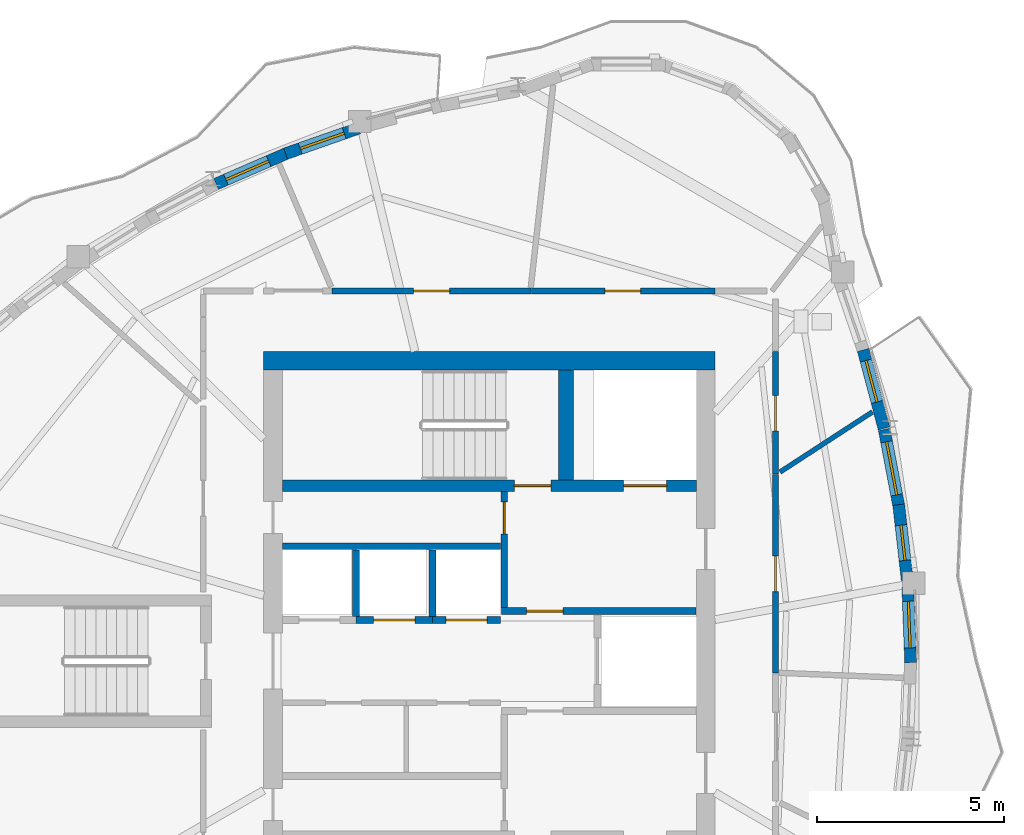
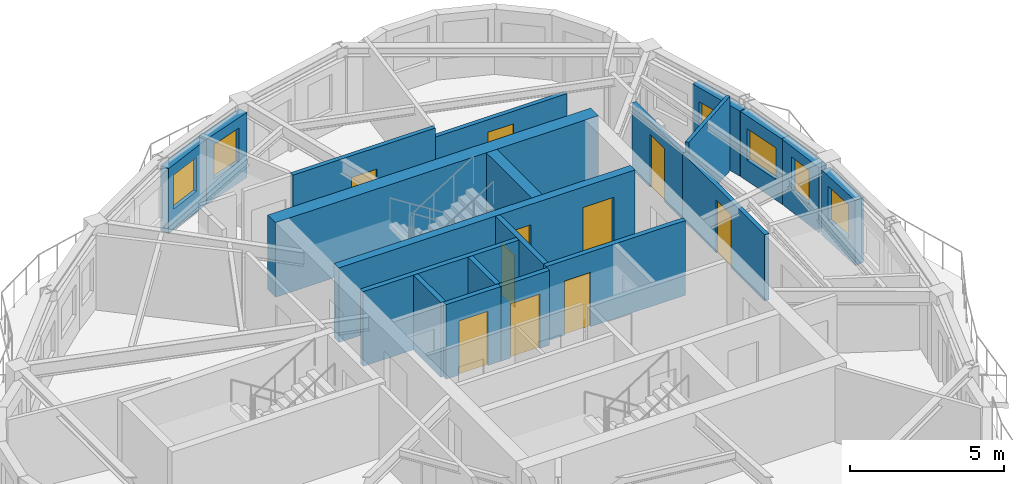
# One storey, part 6 of 12: 21 walls, 10 doors, 6 windows, 16 openings.
"""IFC4 building model written with IfcOpenShell, lengths in metres."""

import ifcopenshell
import ifcopenshell.guid

model = None  # the IFC model being written
_history = None  # IfcOwnerHistory: only IFC2X3 demands one
_inside = {}  # id of a spatial element -> (the spatial element, [elements in it])
_under = {}  # id of a project, library or spatial element -> (it, [spatial elements below it])
_declared = {}  # id of a project -> (the project, [libraries it declares])
_typed = {}  # id of a type object -> (the type object, [elements of that type])
_made_of = {}  # id of a material, layer set ... -> (it, [elements and type objects made of it])


def new_model(schema):
    """Start an empty IFC model of exactly this schema.

    Asked for "IFC4X3", IfcOpenShell would pick the latest addendum, in which some entities
    have other attributes; the version numbers below select the first issue.
    IFC2X3 requires an IfcOwnerHistory on every rooted entity: one is made here for all.
    """
    global model, _history
    if schema == "IFC4X3":
        model = ifcopenshell.file(schema_version=(4, 3, 0, 0))
    else:
        model = ifcopenshell.file(schema=schema)
    _inside.clear()
    _under.clear()
    _declared.clear()
    _typed.clear()
    _made_of.clear()
    _history = None
    if model.schema == "IFC2X3":
        org = make("IfcOrganization", Name="unknown")
        user = make(
            "IfcPersonAndOrganization",
            ThePerson=make("IfcPerson", FamilyName="unknown"),
            TheOrganization=org,
        )
        app = make(
            "IfcApplication",
            ApplicationDeveloper=org,
            Version="unknown",
            ApplicationFullName="unknown",
            ApplicationIdentifier="unknown",
        )
        _history = make(
            "IfcOwnerHistory",
            OwningUser=user,
            OwningApplication=app,
            ChangeAction="ADDED",
            CreationDate=0,
        )
    return model


def make(cls, **values):
    """One entity of the class cls with the attributes given. An attribute that is None is left unset."""
    return model.create_entity(
        cls, **{name: value for name, value in values.items() if value is not None}
    )


def rooted(cls, **values):
    """An entity with a GlobalId (a new one), such as an element, a storey or a relation."""
    return make(cls, GlobalId=ifcopenshell.guid.new(), OwnerHistory=_history, **values)


def si_unit(unit_type, name, prefix=None):
    """IfcSIUnit, for example si_unit("LENGTHUNIT", "METRE", prefix="MILLI")."""
    return make("IfcSIUnit", UnitType=unit_type, Prefix=prefix, Name=name)


def assignment(units):
    """IfcUnitAssignment: the units of a project."""
    return None if units is None else make("IfcUnitAssignment", Units=units)


def point(xyz):
    """IfcCartesianPoint."""
    return None if xyz is None else make("IfcCartesianPoint", Coordinates=xyz)


def direction(xyz):
    """IfcDirection."""
    return None if xyz is None else make("IfcDirection", DirectionRatios=xyz)


def frame(location, z_axis=None, x_axis=None):
    """IfcAxis2Placement3D, a coordinate frame: its origin and axes. An axis left out is left unset."""
    return make(
        "IfcAxis2Placement3D",
        Location=point(location),
        Axis=direction(z_axis),
        RefDirection=direction(x_axis),
    )


def frame_2d(location, x_axis=None):
    """IfcAxis2Placement2D, a coordinate frame in the plane: its origin and x axis."""
    return make(
        "IfcAxis2Placement2D", Location=point(location), RefDirection=direction(x_axis)
    )


def origin():
    """The frame at (0, 0, 0) with its axes left unset."""
    return frame((0.0, 0.0, 0.0))


def place(relative_to, where):
    """IfcLocalPlacement: puts the frame where relative to a parent placement (None: the world)."""
    return make(
        "IfcLocalPlacement", PlacementRelTo=relative_to, RelativePlacement=where
    )


def context(
    kind, dimensions, precision=None, world=None, true_north=None, identifier=None
):
    """IfcGeometricRepresentationContext, for example the 3D "Model" context."""
    return make(
        "IfcGeometricRepresentationContext",
        ContextIdentifier=identifier,
        ContextType=kind,
        CoordinateSpaceDimension=dimensions,
        Precision=precision,
        WorldCoordinateSystem=world,
        TrueNorth=true_north,
    )


def subcontext(parent, identifier, kind, view, scale=None):
    """IfcGeometricRepresentationSubContext, for example "Body" below "Model"."""
    return make(
        "IfcGeometricRepresentationSubContext",
        ContextIdentifier=identifier,
        ContextType=kind,
        ParentContext=parent,
        TargetScale=scale,
        TargetView=view,
    )


def project(units=None, contexts=None):
    """IfcProject with its units and contexts."""
    return rooted(
        "IfcProject",
        Name="project",
        RepresentationContexts=contexts,
        UnitsInContext=assignment(units),
    )


def spatial(cls, under=None, at=None, **own):
    """A site, building, storey or space (cls), placed at a placement, below another one or the project."""
    s = rooted(cls, ObjectPlacement=at, **own)
    if under is not None:
        _under.setdefault(under.id(), (under, []))[1].append(s)
    return s


def profile(cls, at=None, kind="AREA", **sizes):
    """A parametric profile (cls). Its sizes go by their IFC names, for example OverallWidth=200.0."""
    return make(cls, ProfileType=kind, Position=at, **sizes)


def rectangle(**sizes):
    """IfcRectangleProfileDef."""
    return profile("IfcRectangleProfileDef", **sizes)


def extrude(swept, where, along, depth):
    """IfcExtrudedAreaSolid: the profile swept, set in the frame where, extruded along a direction by depth."""
    return make(
        "IfcExtrudedAreaSolid",
        SweptArea=swept,
        Position=where,
        ExtrudedDirection=direction(along),
        Depth=depth,
    )


def shape(context_of_items, identifier, shape_type, items):
    """IfcShapeRepresentation: the items that make up one representation, for example the "Body"."""
    return make(
        "IfcShapeRepresentation",
        ContextOfItems=context_of_items,
        RepresentationIdentifier=identifier,
        RepresentationType=shape_type,
        Items=items,
    )


def source(mapping_origin, context_of_items, identifier, shape_type, items):
    """IfcRepresentationMap: a shape defined once, which mapped items show again and again."""
    return make(
        "IfcRepresentationMap",
        MappingOrigin=mapping_origin,
        MappedRepresentation=shape(context_of_items, identifier, shape_type, items),
    )


def transform(
    local_origin,
    x_axis=None,
    y_axis=None,
    z_axis=None,
    scale=None,
    scale2=None,
    scale3=None,
    uniform=True,
):
    """IfcCartesianTransformationOperator3D, or its non-uniform kind. x_axis, y_axis, z_axis: its Axis1, 2, 3."""
    if uniform:
        return make(
            "IfcCartesianTransformationOperator3D",
            Axis1=direction(x_axis),
            Axis2=direction(y_axis),
            LocalOrigin=point(local_origin),
            Scale=scale,
            Axis3=direction(z_axis),
        )
    return make(
        "IfcCartesianTransformationOperator3DnonUniform",
        Axis1=direction(x_axis),
        Axis2=direction(y_axis),
        LocalOrigin=point(local_origin),
        Scale=scale,
        Axis3=direction(z_axis),
        Scale2=scale2,
        Scale3=scale3,
    )


def mapped(mapping_source, mapping_target):
    """IfcMappedItem: shows the shape of a source again, moved by a transform."""
    return make(
        "IfcMappedItem", MappingSource=mapping_source, MappingTarget=mapping_target
    )


def material(Name=None, Category=None):
    """IfcMaterial."""
    return make("IfcMaterial", Name=Name, Category=Category)


def layer(
    of_material, thickness, ventilated=None, Name=None, Category=None, Priority=None
):
    """IfcMaterialLayer: one layer of a wall or slab, of a material (None: an air gap)."""
    return make(
        "IfcMaterialLayer",
        Material=of_material,
        LayerThickness=thickness,
        IsVentilated=ventilated,
        Name=Name,
        Category=Category,
        Priority=Priority,
    )


def layer_set(layers, Name=None):
    """IfcMaterialLayerSet."""
    return make("IfcMaterialLayerSet", MaterialLayers=layers, LayerSetName=Name)


def made_of(thing, what):
    """Note that an element or type object is made of a material, layer set ...; save() writes the relation."""
    if what is not None:
        _made_of.setdefault(what.id(), (what, []))[1].append(thing)
    return thing


def type_object(cls, material=None, **own):
    """A type object (cls), such as IfcWallType, which elements share."""
    return made_of(rooted(cls, **own), material)


def element(
    cls,
    number,
    at=None,
    inside=None,
    cuts=None,
    type_object=None,
    material=None,
    context=None,
    identifier="Body",
    shape_type=None,
    held_by="IfcProductDefinitionShape",
    body=None,
    shapes=None,
    **own,
):
    """One element of the class cls, such as IfcWall. Its Tag is "e" and its number.

    at: its placement. inside: the storey or other place that contains it. cuts: it is an
    opening in that element (IfcRelVoidsElement). A single representation is given by context,
    identifier, shape_type and body (its items); several are given by shapes. held_by: the class
    of the entity that holds the representations. save() writes the other relations.
    """
    e = rooted(cls, Tag="e%d" % number, ObjectPlacement=at, **own)
    if body is not None:
        shapes = [shape(context, identifier, shape_type, body)]
    if shapes is not None:
        e.Representation = make(held_by, Representations=shapes)
    if inside is not None:
        _inside.setdefault(inside.id(), (inside, []))[1].append(e)
    if cuts is not None:
        rooted(
            "IfcRelVoidsElement", RelatingBuildingElement=cuts, RelatedOpeningElement=e
        )
    if type_object is not None:
        _typed.setdefault(type_object.id(), (type_object, []))[1].append(e)
    return made_of(e, material)


def fill(opening, filler):
    """IfcRelFillsElement: the door or window that sits in an opening."""
    return rooted(
        "IfcRelFillsElement",
        RelatingOpeningElement=opening,
        RelatedBuildingElement=filler,
    )


def aggregate(whole, parts):
    """IfcRelAggregates: a whole, such as a stair, and the parts it consists of."""
    return rooted("IfcRelAggregates", RelatingObject=whole, RelatedObjects=parts)


def save(model, path):
    """Write the relations noted so far, then the file.

    IfcRelAggregates (storeys below a building ...), IfcRelContainedInSpatialStructure (elements
    in a storey), IfcRelDefinesByType, IfcRelAssociatesMaterial and IfcRelDeclares: one each for
    every whole, place, type object, material and project.
    """
    for whole, parts in _under.values():
        aggregate(whole, parts)
    for where, things in _inside.values():
        rooted(
            "IfcRelContainedInSpatialStructure",
            RelatedElements=things,
            RelatingStructure=where,
        )
    for kind, things in _typed.values():
        rooted("IfcRelDefinesByType", RelatedObjects=things, RelatingType=kind)
    for what, things in _made_of.values():
        rooted("IfcRelAssociatesMaterial", RelatedObjects=things, RelatingMaterial=what)
    for by, libraries in _declared.values():
        rooted("IfcRelDeclares", RelatingContext=by, RelatedDefinitions=libraries)
    model.write(path)


model = new_model("IFC4")

# Units and contexts
model_context = context("Model", 3, precision=1e-05, world=origin(), true_north=direction((0.0, 1.0)))
body_context = subcontext(model_context, "Body", "Model", "MODEL_VIEW")
ifc_project = project(units=[si_unit("LENGTHUNIT", "METRE"), si_unit("AREAUNIT", "SQUARE_METRE"), si_unit("VOLUMEUNIT", "CUBIC_METRE"), si_unit("PLANEANGLEUNIT", "RADIAN"), si_unit("MASSUNIT", "GRAM", prefix="KILO")], contexts=[model_context])

# Site, building, storey
site_placement = place(None, origin())
site = spatial("IfcSite", under=ifc_project, at=site_placement, CompositionType="ELEMENT")
building_placement = place(site_placement, origin())
building = spatial("IfcBuilding", under=site, at=building_placement, Name="Qafzar Sky-Pleat Residences", CompositionType="ELEMENT")
storey_placement = place(building_placement, frame((0.0, 0.0, 224.39990234375)))
storey = spatial("IfcBuildingStorey", under=building, at=storey_placement, Name="L67", CompositionType="ELEMENT", Elevation=224.39990234375)

# Wall, opening, door
ifc_material_1 = material(Name="Acoustic gypsum plasterboard partition", Category="gypsum")
ifc_layer_1 = layer(ifc_material_1, 0.159912109375)
ifc_layer_set_1 = layer_set([ifc_layer_1], Name="Acoustic gypsum plasterboard partition")
wall_type_1 = type_object("IfcWallType", Name="PART-COR-160", PredefinedType="PARTITIONING", material=ifc_layer_set_1)
wall_1_placement = place(storey_placement, frame((38.02001953125, 31.006103515625, 0.0), z_axis=(0.0, 0.0, 1.0), x_axis=(0.0, -1.0, 0.0)))
wall_1 = element("IfcWall", 1, at=wall_1_placement, inside=storey, type_object=wall_type_1, Name="L67 Partition Wall PART-L67-PW-002", PredefinedType="PARTITIONING", context=body_context, shape_type="SweptSolid", body=[
    extrude(rectangle(XDim=5.33203125, YDim=0.159912109375, at=frame_2d((2.666015625, 0.0))), origin(), (0.0, 0.0, 1.0), 2.628173828125),
])
opening_1_placement = place(wall_1_placement, frame((2.1875, 0.0, 0.0)))
opening_1 = element("IfcOpeningElement", 2, at=opening_1_placement, cuts=wall_1, Name="Opening ID-06", PredefinedType="OPENING", context=body_context, shape_type="SweptSolid", body=[
    extrude(rectangle(XDim=0.9599609375, YDim=2.10009765625, at=frame_2d((0.47998046875, 1.050048828125))), frame((0.0, 0.08984375, 0.0), z_axis=(0.0, -1.0, 0.0), x_axis=(1.0, 0.0, 0.0)), (0.0, 0.0, 1.0), 0.179931640625),
])
ifc_material_2 = material(Name="Timber-faced fire door", Category="wood")
door_type_1 = type_object("IfcDoorType", Name="DR-STD-960", OperationType="NOTDEFINED", PredefinedType="DOOR", material=ifc_material_2)
shared_shape_1 = source(origin(), body_context, "Body", "SweptSolid", [
    extrude(rectangle(XDim=0.9599609375, YDim=2.10009765625, at=frame_2d((0.47998046875, 1.050048828125))), frame((0.0, 0.02490234375, 0.0), z_axis=(0.0, -1.0, 0.0), x_axis=(1.0, 0.0, 0.0)), (0.0, 0.0, 1.0), 0.050048828125),
])
door_1_placement = place(opening_1_placement, origin())
door_1 = element("IfcDoor", 3, at=door_1_placement, inside=storey, type_object=door_type_1, Name="L67 Music Practice Room Door", OperationType="SINGLE_SWING_RIGHT", OverallHeight=2.10009765625, OverallWidth=0.9599609375, PredefinedType="DOOR", context=body_context, shape_type="MappedRepresentation", body=[
    mapped(shared_shape_1, transform((0.0, 0.0, 0.0), x_axis=(1.0, 0.0, 0.0), y_axis=(0.0, 1.0, 0.0), z_axis=(0.0, 0.0, 1.0), scale=1.0)),
])
fill(opening_1, door_1)

wall_2_placement = place(storey_placement, frame((26.137939453125, 35.919921875, 0.0), z_axis=(0.0, 0.0, 1.0), x_axis=(1.0, 0.0, 0.0)))
wall_2 = element("IfcWall", 4, at=wall_2_placement, inside=storey, type_object=wall_type_1, Name="L67 Partition Wall PART-L67-PW-003", PredefinedType="PARTITIONING", context=body_context, shape_type="SweptSolid", body=[
    extrude(rectangle(XDim=5.328125, YDim=0.159912109375, at=frame_2d((2.6640625, 0.0))), origin(), (0.0, 0.0, 1.0), 2.960205078125),
])
opening_2_placement = place(wall_2_placement, frame((2.1845703125, 0.0, 0.0)))
opening_2 = element("IfcOpeningElement", 5, at=opening_2_placement, cuts=wall_2, Name="Opening ID-06", PredefinedType="OPENING", context=body_context, shape_type="SweptSolid", body=[
    extrude(rectangle(XDim=0.9599609375, YDim=2.10009765625, at=frame_2d((0.47998046875, 1.050048828125))), frame((0.0, 0.08984375, 0.0), z_axis=(0.0, -1.0, 0.0), x_axis=(1.0, 0.0, 0.0)), (0.0, 0.0, 1.0), 0.179931640625),
])
door_2_placement = place(opening_2_placement, origin())
door_2 = element("IfcDoor", 6, at=door_2_placement, inside=storey, type_object=door_type_1, Name="L67 Media Screening Room Door", OperationType="SINGLE_SWING_LEFT", OverallHeight=2.10009765625, OverallWidth=0.9599609375, PredefinedType="DOOR", context=body_context, shape_type="MappedRepresentation", body=[
    mapped(shared_shape_1, transform((0.0, 0.0, 0.0), x_axis=(1.0, 0.0, 0.0), y_axis=(0.0, 1.0, 0.0), z_axis=(0.0, 0.0, 1.0), scale=1.0)),
])
fill(opening_2, door_2)

wall_3_placement = place(storey_placement, frame((31.48095703125, 35.919921875, 0.0), z_axis=(0.0, 0.0, 1.0), x_axis=(1.0, 0.0, 0.0)))
wall_3 = element("IfcWall", 7, at=wall_3_placement, inside=storey, type_object=wall_type_1, Name="L67 Partition Wall PART-L67-PW-005", PredefinedType="PARTITIONING", context=body_context, shape_type="SweptSolid", body=[
    extrude(rectangle(XDim=4.9189453125, YDim=0.159912109375, at=frame_2d((2.45947265625, 0.0))), origin(), (0.0, 0.0, 1.0), 2.59814453125),
])
opening_3_placement = place(wall_3_placement, frame((1.964599609375, 0.0, 0.0)))
opening_3 = element("IfcOpeningElement", 8, at=opening_3_placement, cuts=wall_3, Name="Opening ID-06", PredefinedType="OPENING", context=body_context, shape_type="SweptSolid", body=[
    extrude(rectangle(XDim=0.9599609375, YDim=2.10009765625, at=frame_2d((0.47998046875, 1.050048828125))), frame((0.0, 0.08984375, 0.0), z_axis=(0.0, -1.0, 0.0), x_axis=(1.0, 0.0, 0.0)), (0.0, 0.0, 1.0), 0.179931640625),
])
door_3_placement = place(opening_3_placement, origin())
door_3 = element("IfcDoor", 9, at=door_3_placement, inside=storey, type_object=door_type_1, Name="L67 Wellness Yoga Studio Door", OperationType="SINGLE_SWING_LEFT", OverallHeight=2.10009765625, OverallWidth=0.9599609375, PredefinedType="DOOR", context=body_context, shape_type="MappedRepresentation", body=[
    mapped(shared_shape_1, transform((0.0, 0.0, 0.0), x_axis=(1.0, 0.0, 0.0), y_axis=(0.0, 1.0, 0.0), z_axis=(0.0, 0.0, 1.0), scale=1.0)),
])
fill(opening_3, door_3)

wall_4_placement = place(storey_placement, frame((38.02001953125, 34.300048828125, 0.0), z_axis=(0.0, 0.0, 1.0), x_axis=(0.0, -1.0, 0.0)))
wall_4 = element("IfcWall", 10, at=wall_4_placement, inside=storey, type_object=wall_type_1, Name="L67 Partition Wall PART-L67-PW-007", PredefinedType="PARTITIONING", context=body_context, shape_type="SweptSolid", body=[
    extrude(rectangle(XDim=3.279052734375, YDim=0.159912109375, at=frame_2d((1.6396484375, 0.0))), origin(), (0.0, 0.0, 1.0), 2.628173828125),
])
opening_4_placement = place(wall_4_placement, frame((1.180908203125, 0.0, 0.0)))
opening_4 = element("IfcOpeningElement", 11, at=opening_4_placement, cuts=wall_4, Name="Opening ID-08", PredefinedType="OPENING", context=body_context, shape_type="SweptSolid", body=[
    extrude(rectangle(XDim=0.949951171875, YDim=2.10009765625, at=frame_2d((0.47509765625, 1.050048828125))), frame((0.0, 0.08984375, 0.0), z_axis=(0.0, -1.0, 0.0), x_axis=(1.0, 0.0, 0.0)), (0.0, 0.0, 1.0), 0.179931640625),
])
door_type_2 = type_object("IfcDoorType", Name="DR-AWC-950", OperationType="NOTDEFINED", PredefinedType="DOOR", material=ifc_material_2)
shared_shape_2 = source(origin(), body_context, "Body", "SweptSolid", [
    extrude(rectangle(XDim=0.949951171875, YDim=2.10009765625, at=frame_2d((0.47509765625, 1.050048828125))), frame((0.0, 0.02490234375, 0.0), z_axis=(0.0, -1.0, 0.0), x_axis=(1.0, 0.0, 0.0)), (0.0, 0.0, 1.0), 0.050048828125),
])
door_4_placement = place(opening_4_placement, origin())
door_4 = element("IfcDoor", 12, at=door_4_placement, inside=storey, type_object=door_type_2, Name="L67 Accessible Shared Washroom Door", OperationType="SINGLE_SWING_RIGHT", OverallHeight=2.10009765625, OverallWidth=0.949951171875, PredefinedType="DOOR", context=body_context, shape_type="MappedRepresentation", body=[
    mapped(shared_shape_2, transform((0.0, 0.0, 0.0), x_axis=(1.0, 0.0, 0.0), y_axis=(0.0, 1.0, 0.0), z_axis=(0.0, 0.0, 1.0), scale=1.0)),
])
fill(opening_4, door_4)

ifc_material_3 = material(Name="Concrete blockwork partition", Category="masonry")
ifc_layer_2 = layer(ifc_material_3, 0.179931640625)
ifc_layer_set_2 = layer_set([ifc_layer_2], Name="Concrete blockwork partition")
wall_type_2 = type_object("IfcWallType", Name="PART-SHAFT-180", PredefinedType="PARTITIONING", material=ifc_layer_set_2)
wall_5_placement = place(storey_placement, frame((30.75, 27.429931640625, 0.0), z_axis=(0.0, 0.0, 1.0), x_axis=(0.0, 1.0, 0.0)))
wall_5 = element("IfcWall", 13, at=wall_5_placement, inside=storey, type_object=wall_type_2, Name="L67 Partition Wall PART-L67-FFL2-W", PredefinedType="PARTITIONING", context=body_context, shape_type="SweptSolid", body=[
    extrude(rectangle(XDim=3.110107421875, YDim=0.179931640625, at=frame_2d((1.55517578125, 0.0))), origin(), (0.0, 0.0, 1.0), 2.960205078125),
])
opening_5_placement = place(wall_5_placement, frame((1.97998046875, 0.0, 0.0)))
opening_5 = element("IfcOpeningElement", 14, at=opening_5_placement, cuts=wall_5, Name="Opening ID-09", PredefinedType="OPENING", context=body_context, shape_type="SweptSolid", body=[
    extrude(rectangle(XDim=0.860107421875, YDim=2.050048828125, at=frame_2d((0.43017578125, 1.02490234375))), frame((0.0, 0.10009765625, 0.0), z_axis=(0.0, -1.0, 0.0), x_axis=(1.0, 0.0, 0.0)), (0.0, 0.0, 1.0), 0.199951171875),
])
door_type_3 = type_object("IfcDoorType", Name="DR-SVC-860", OperationType="NOTDEFINED", PredefinedType="DOOR", material=ifc_material_2)
shared_shape_3 = source(origin(), body_context, "Body", "SweptSolid", [
    extrude(rectangle(XDim=0.860107421875, YDim=2.050048828125, at=frame_2d((0.43017578125, 1.02490234375))), frame((0.0, 0.02490234375, 0.0), z_axis=(0.0, -1.0, 0.0), x_axis=(1.0, 0.0, 0.0)), (0.0, 0.0, 1.0), 0.050048828125),
])
door_5_placement = place(opening_5_placement, origin())
door_5 = element("IfcDoor", 15, at=door_5_placement, inside=storey, type_object=door_type_3, Name="L67 North Core Cupboard Door", OperationType="SINGLE_SWING_LEFT", OverallHeight=2.050048828125, OverallWidth=0.860107421875, PredefinedType="DOOR", context=body_context, shape_type="MappedRepresentation", body=[
    mapped(shared_shape_3, transform((0.0, 0.0, 0.0), x_axis=(1.0, 0.0, 0.0), y_axis=(0.0, 1.0, 0.0), z_axis=(0.0, 0.0, 1.0), scale=1.0)),
])
fill(opening_5, door_5)

wall_6_placement = place(storey_placement, frame((30.669921875, 27.340087890625, 0.0), z_axis=(0.0, 0.0, 1.0), x_axis=(1.0, 0.0, 0.0)))
wall_6 = element("IfcWall", 16, at=wall_6_placement, inside=storey, type_object=wall_type_2, Name="L67 Partition Wall PART-L67-FFL2-S", PredefinedType="PARTITIONING", context=body_context, shape_type="SweptSolid", body=[
    extrude(rectangle(XDim=5.219970703125, YDim=0.179931640625, at=frame_2d((2.60986328125, 0.0))), origin(), (0.0, 0.0, 1.0), 2.960205078125),
])
opening_6_placement = place(wall_6_placement, frame((0.679931640625, 0.0, 0.0)))
opening_6 = element("IfcOpeningElement", 17, at=opening_6_placement, cuts=wall_6, Name="Opening ID-01", PredefinedType="OPENING", context=body_context, shape_type="SweptSolid", body=[
    extrude(rectangle(XDim=0.97998046875, YDim=2.14990234375, at=frame_2d((0.489990234375, 1.074951171875))), frame((0.0, 0.10009765625, 0.0), z_axis=(0.0, -1.0, 0.0), x_axis=(1.0, 0.0, 0.0)), (0.0, 0.0, 1.0), 0.199951171875),
])
door_type_4 = type_object("IfcDoorType", Name="DR-STAIR-980", OperationType="NOTDEFINED", PredefinedType="DOOR", material=ifc_material_2)
shared_shape_4 = source(origin(), body_context, "Body", "SweptSolid", [
    extrude(rectangle(XDim=0.97998046875, YDim=2.14990234375, at=frame_2d((0.489990234375, 1.074951171875))), frame((0.0, 0.02490234375, 0.0), z_axis=(0.0, -1.0, 0.0), x_axis=(1.0, 0.0, 0.0)), (0.0, 0.0, 1.0), 0.050048828125),
])
door_6_placement = place(opening_6_placement, origin())
door_6 = element("IfcDoor", 18, at=door_6_placement, inside=storey, type_object=door_type_4, Name="L67 Lift Lobby to North Firefighting Lobby Door", OperationType="SINGLE_SWING_RIGHT", OverallHeight=2.14990234375, OverallWidth=0.97998046875, PredefinedType="DOOR", context=body_context, shape_type="MappedRepresentation", body=[
    mapped(shared_shape_4, transform((0.0, 0.0, 0.0), x_axis=(1.0, 0.0, 0.0), y_axis=(0.0, 1.0, 0.0), z_axis=(0.0, 0.0, 1.0), scale=1.0)),
])
fill(opening_6, door_6)

# Wall
wall_7_placement = place(storey_placement, frame((24.81005859375, 29.080078125, 0.0), z_axis=(0.0, 0.0, 1.0), x_axis=(1.0, 0.0, 0.0)))
element("IfcWall", 19, at=wall_7_placement, inside=storey, type_object=wall_type_2, Name="L67 Partition Wall PART-L67-P46-N", PredefinedType="PARTITIONING", context=body_context, shape_type="SweptSolid", body=[
    extrude(rectangle(XDim=5.83984375, YDim=0.179931640625, at=frame_2d((2.919921875, 0.0))), origin(), (0.0, 0.0, 1.0), 2.960205078125),
])

# Wall, opening, door
wall_8_placement = place(storey_placement, frame((26.77490234375, 27.10009765625, 0.0), z_axis=(0.0, 0.0, 1.0), x_axis=(1.0, 0.0, 0.0)))
wall_8 = element("IfcWall", 20, at=wall_8_placement, inside=storey, type_object=wall_type_2, Name="L67 Partition Wall PART-L67-P5-S", PredefinedType="PARTITIONING", context=body_context, shape_type="SweptSolid", body=[
    extrude(rectangle(XDim=2.050048828125, YDim=0.179931640625, at=frame_2d((1.02490234375, 0.0))), origin(), (0.0, 0.0, 1.0), 2.960205078125),
])
opening_7_placement = place(wall_8_placement, frame((0.47509765625, 0.0, 0.0)))
opening_7 = element("IfcOpeningElement", 21, at=opening_7_placement, cuts=wall_8, Name="Opening LD-01", PredefinedType="OPENING", context=body_context, shape_type="SweptSolid", body=[
    extrude(rectangle(XDim=1.10009765625, YDim=2.14990234375, at=frame_2d((0.550048828125, 1.074951171875))), frame((0.0, 0.10009765625, 0.0), z_axis=(0.0, -1.0, 0.0), x_axis=(1.0, 0.0, 0.0)), (0.0, 0.0, 1.0), 0.199951171875),
])
ifc_material_4 = material(Name="Stainless steel sliding landing door", Category="steel")
door_type_5 = type_object("IfcDoorType", Name="DR-LIFT-P", OperationType="DOUBLE_DOOR_SLIDING", PredefinedType="DOOR", material=ifc_material_4)
shared_shape_5 = source(origin(), body_context, "Body", "SweptSolid", [
    extrude(rectangle(XDim=1.10009765625, YDim=2.14990234375, at=frame_2d((0.550048828125, 1.074951171875))), frame((0.0, 0.02490234375, 0.0), z_axis=(0.0, -1.0, 0.0), x_axis=(1.0, 0.0, 0.0)), (0.0, 0.0, 1.0), 0.050048828125),
])
door_7_placement = place(opening_7_placement, origin())
door_7 = element("IfcDoor", 22, at=door_7_placement, inside=storey, type_object=door_type_5, Name="L67 Passenger Lift P5 Landing Door", OperationType="DOUBLE_DOOR_SLIDING", OverallHeight=2.14990234375, OverallWidth=1.10009765625, PredefinedType="DOOR", context=body_context, shape_type="MappedRepresentation", body=[
    mapped(shared_shape_5, transform((0.0, 0.0, 0.0), x_axis=(1.0, 0.0, 0.0), y_axis=(0.0, 1.0, 0.0), z_axis=(0.0, 0.0, 1.0), scale=1.0)),
])
fill(opening_7, door_7)

# Wall
wall_9_placement = place(storey_placement, frame((26.77490234375, 27.199951171875, 0.0), z_axis=(0.0, 0.0, 1.0), x_axis=(0.0, 1.0, 0.0)))
element("IfcWall", 23, at=wall_9_placement, inside=storey, type_object=wall_type_2, Name="L67 Partition Wall PART-L67-P46-DIV-1", PredefinedType="PARTITIONING", context=body_context, shape_type="SweptSolid", body=[
    extrude(rectangle(XDim=1.780029296875, YDim=0.179931640625, at=frame_2d((0.89013671875, 0.0))), origin(), (0.0, 0.0, 1.0), 2.960205078125),
])

# Wall, opening, door
wall_10_placement = place(storey_placement, frame((28.824951171875, 27.10009765625, 0.0), z_axis=(0.0, 0.0, 1.0), x_axis=(1.0, 0.0, 0.0)))
wall_10 = element("IfcWall", 24, at=wall_10_placement, inside=storey, type_object=wall_type_2, Name="L67 Partition Wall PART-L67-P6-S", PredefinedType="PARTITIONING", context=body_context, shape_type="SweptSolid", body=[
    extrude(rectangle(XDim=1.824951171875, YDim=0.179931640625, at=frame_2d((0.91259765625, 0.0))), origin(), (0.0, 0.0, 1.0), 2.960205078125),
])
opening_8_placement = place(wall_10_placement, frame((0.362548828125, 0.0, 0.0)))
opening_8 = element("IfcOpeningElement", 25, at=opening_8_placement, cuts=wall_10, Name="Opening LD-01", PredefinedType="OPENING", context=body_context, shape_type="SweptSolid", body=[
    extrude(rectangle(XDim=1.10009765625, YDim=2.14990234375, at=frame_2d((0.550048828125, 1.074951171875))), frame((0.0, 0.10009765625, 0.0), z_axis=(0.0, -1.0, 0.0), x_axis=(1.0, 0.0, 0.0)), (0.0, 0.0, 1.0), 0.199951171875),
])
door_8_placement = place(opening_8_placement, origin())
door_8 = element("IfcDoor", 26, at=door_8_placement, inside=storey, type_object=door_type_5, Name="L67 Passenger Lift P6 Landing Door", OperationType="DOUBLE_DOOR_SLIDING", OverallHeight=2.14990234375, OverallWidth=1.10009765625, PredefinedType="DOOR", context=body_context, shape_type="MappedRepresentation", body=[
    mapped(shared_shape_5, transform((0.0, 0.0, 0.0), x_axis=(1.0, 0.0, 0.0), y_axis=(0.0, 1.0, 0.0), z_axis=(0.0, 0.0, 1.0), scale=1.0)),
])
fill(opening_8, door_8)

# Walls
wall_11_placement = place(storey_placement, frame((28.824951171875, 27.199951171875, 0.0), z_axis=(0.0, 0.0, 1.0), x_axis=(0.0, 1.0, 0.0)))
element("IfcWall", 27, at=wall_11_placement, inside=storey, type_object=wall_type_2, Name="L67 Partition Wall PART-L67-P46-DIV-2", PredefinedType="PARTITIONING", context=body_context, shape_type="SweptSolid", body=[
    extrude(rectangle(XDim=1.780029296875, YDim=0.179931640625, at=frame_2d((0.89013671875, 0.0))), origin(), (0.0, 0.0, 1.0), 2.960205078125),
])
ifc_material_5 = material(Name="Moisture-resistant gypsum partition", Category="gypsum")
ifc_layer_3 = layer(ifc_material_5, 0.1298828125)
ifc_layer_set_3 = layer_set([ifc_layer_3], Name="Moisture-resistant gypsum partition")
wall_type_3 = type_object("IfcWallType", Name="PART-WET-130", PredefinedType="PARTITIONING", material=ifc_layer_set_3)
wall_12_placement = place(storey_placement, frame((38.14208984375, 31.0673828125, 0.0), z_axis=(0.0, 0.0, 1.0), x_axis=(0.838351109823, 0.545130641827, 0.0)))
element("IfcWall", 28, at=wall_12_placement, inside=storey, type_object=wall_type_3, Name="L67 Partition Wall PART-L67-PW-019", PredefinedType="PARTITIONING", context=body_context, shape_type="SweptSolid", body=[
    extrude(rectangle(XDim=2.955078125, YDim=0.1298828125, at=frame_2d((1.4775390625, 0.0))), origin(), (0.0, 0.0, 1.0), 2.960205078125),
])

# Wall, opening, window
ifc_material_6 = material(Name="Precast concrete C40/50 with honed Riyadh limestone", Category="concrete")
ifc_layer_4 = layer(ifc_material_6, 0.320068359375)
ifc_layer_set_4 = layer_set([ifc_layer_4], Name="Precast concrete C40/50 with honed Riyadh limestone")
wall_type_4 = type_object("IfcWallType", Name="WALL-EXT-320", PredefinedType="SOLIDWALL", material=ifc_layer_set_4)
wall_13_placement = place(storey_placement, frame((41.64599609375, 25.9560546875, 0.0), z_axis=(0.0, 0.0, 1.0), x_axis=(-0.038018581285, 0.999277032397, 0.0)))
wall_13 = element("IfcWall", 29, at=wall_13_placement, inside=storey, type_object=wall_type_4, Name="L67 Limestone Facade Wall 28", PredefinedType="SOLIDWALL", context=body_context, shape_type="SweptSolid", body=[
    extrude(rectangle(XDim=2.03564453125, YDim=0.320068359375, at=frame_2d((1.017822265625, 0.0))), origin(), (0.0, 0.0, 1.0), 2.580078125),
])
opening_9_placement = place(wall_13_placement, frame((0.39794921875, 0.0, 0.820068359375)))
opening_9 = element("IfcOpeningElement", 30, at=opening_9_placement, cuts=wall_13, Name="Opening WN-11", PredefinedType="OPENING", context=body_context, shape_type="SweptSolid", body=[
    extrude(rectangle(XDim=1.25, YDim=1.35009765625, at=frame_2d((0.625, 0.675048828125))), frame((0.0, 0.169921875, 0.0), z_axis=(0.0, -1.0, 0.0), x_axis=(1.0, 0.0, 0.0)), (0.0, 0.0, 1.0), 0.340087890625),
])
ifc_material_7 = material(Name="Solar-control low-E glass in bronze aluminium frame", Category="glass")
window_type_1 = type_object("IfcWindowType", Name="WIN-11", PartitioningType="SINGLE_PANEL", PredefinedType="WINDOW", material=ifc_material_7)
shared_shape_6 = source(origin(), body_context, "Body", "SweptSolid", [
    extrude(rectangle(XDim=1.25, YDim=1.35009765625, at=frame_2d((0.625, 0.675048828125))), frame((0.0, 0.030029296875, 0.0), z_axis=(0.0, -1.0, 0.0), x_axis=(1.0, 0.0, 0.0)), (0.0, 0.0, 1.0), 0.06005859375),
])
window_1_placement = place(opening_9_placement, origin())
window_1 = element("IfcWindow", 31, at=window_1_placement, inside=storey, type_object=window_type_1, Name="L67 Punched Facade Window 28", OverallHeight=1.35009765625, OverallWidth=1.25, PartitioningType="SINGLE_PANEL", PredefinedType="WINDOW", context=body_context, shape_type="MappedRepresentation", body=[
    mapped(shared_shape_6, transform((0.0, 0.0, 0.0), x_axis=(1.0, 0.0, 0.0), y_axis=(0.0, 1.0, 0.0), z_axis=(0.0, 0.0, 1.0), scale=1.0)),
])
fill(opening_9, window_1)

wall_14_placement = place(storey_placement, frame((41.555908203125, 28.15771484375, 0.0), z_axis=(0.0, 0.0, 1.0), x_axis=(-0.113270843693, 0.993564147888, 0.0)))
wall_14 = element("IfcWall", 32, at=wall_14_placement, inside=storey, type_object=wall_type_4, Name="L67 Limestone Facade Wall 29", PredefinedType="SOLIDWALL", context=body_context, shape_type="SweptSolid", body=[
    extrude(rectangle(XDim=2.047607421875, YDim=0.320068359375, at=frame_2d((1.02392578125, 0.0))), origin(), (0.0, 0.0, 1.0), 2.580078125),
])
opening_10_placement = place(wall_14_placement, frame((0.5439453125, 0.0, 0.820068359375)))
opening_10 = element("IfcOpeningElement", 33, at=opening_10_placement, cuts=wall_14, Name="Opening WN-12", PredefinedType="OPENING", context=body_context, shape_type="SweptSolid", body=[
    extrude(rectangle(XDim=0.949951171875, YDim=1.35009765625, at=frame_2d((0.47509765625, 0.675048828125))), frame((0.0, 0.169921875, 0.0), z_axis=(0.0, -1.0, 0.0), x_axis=(1.0, 0.0, 0.0)), (0.0, 0.0, 1.0), 0.340087890625),
])
window_type_2 = type_object("IfcWindowType", Name="WIN-12", PartitioningType="SINGLE_PANEL", PredefinedType="WINDOW", material=ifc_material_7)
shared_shape_7 = source(origin(), body_context, "Body", "SweptSolid", [
    extrude(rectangle(XDim=0.949951171875, YDim=1.35009765625, at=frame_2d((0.47509765625, 0.675048828125))), frame((0.0, 0.030029296875, 0.0), z_axis=(0.0, -1.0, 0.0), x_axis=(1.0, 0.0, 0.0)), (0.0, 0.0, 1.0), 0.06005859375),
])
window_2_placement = place(opening_10_placement, origin())
window_2 = element("IfcWindow", 34, at=window_2_placement, inside=storey, type_object=window_type_2, Name="L67 Punched Facade Window 29", OverallHeight=1.35009765625, OverallWidth=0.949951171875, PartitioningType="SINGLE_PANEL", PredefinedType="WINDOW", context=body_context, shape_type="MappedRepresentation", body=[
    mapped(shared_shape_7, transform((0.0, 0.0, 0.0), x_axis=(1.0, 0.0, 0.0), y_axis=(0.0, 1.0, 0.0), z_axis=(0.0, 0.0, 1.0), scale=1.0)),
])
fill(opening_10, window_2)

wall_15_placement = place(storey_placement, frame((41.337158203125, 30.105224609375, 0.0), z_axis=(0.0, 0.0, 1.0), x_axis=(-0.186614434744, 0.98243323068, 0.0)))
wall_15 = element("IfcWall", 35, at=wall_15_placement, inside=storey, type_object=wall_type_4, Name="L67 Limestone Facade Wall 30", PredefinedType="SOLIDWALL", context=body_context, shape_type="SweptSolid", body=[
    extrude(rectangle(XDim=2.1416015625, YDim=0.320068359375, at=frame_2d((1.07080078125, 0.0))), origin(), (0.0, 0.0, 1.0), 2.580078125),
])
opening_11_placement = place(wall_15_placement, frame((0.355712890625, 0.0, 0.820068359375)))
opening_11 = element("IfcOpeningElement", 36, at=opening_11_placement, cuts=wall_15, Name="Opening WN-15", PredefinedType="OPENING", context=body_context, shape_type="SweptSolid", body=[
    extrude(rectangle(XDim=1.449951171875, YDim=1.25, at=frame_2d((0.72509765625, 0.625))), frame((0.0, 0.169921875, 0.0), z_axis=(0.0, -1.0, 0.0), x_axis=(1.0, 0.0, 0.0)), (0.0, 0.0, 1.0), 0.340087890625),
])
window_type_3 = type_object("IfcWindowType", Name="WIN-15", PartitioningType="SINGLE_PANEL", PredefinedType="WINDOW", material=ifc_material_7)
shared_shape_8 = source(origin(), body_context, "Body", "SweptSolid", [
    extrude(rectangle(XDim=1.449951171875, YDim=1.25, at=frame_2d((0.72509765625, 0.625))), frame((0.0, 0.030029296875, 0.0), z_axis=(0.0, -1.0, 0.0), x_axis=(1.0, 0.0, 0.0)), (0.0, 0.0, 1.0), 0.06005859375),
])
window_3_placement = place(opening_11_placement, origin())
window_3 = element("IfcWindow", 37, at=window_3_placement, inside=storey, type_object=window_type_3, Name="L67 Punched Facade Window 30", OverallHeight=1.25, OverallWidth=1.449951171875, PartitioningType="SINGLE_PANEL", PredefinedType="WINDOW", context=body_context, shape_type="MappedRepresentation", body=[
    mapped(shared_shape_8, transform((0.0, 0.0, 0.0), x_axis=(1.0, 0.0, 0.0), y_axis=(0.0, 1.0, 0.0), z_axis=(0.0, 0.0, 1.0), scale=1.0)),
])
fill(opening_11, window_3)

wall_16_placement = place(storey_placement, frame((40.93115234375, 32.237060546875, 0.0), z_axis=(0.0, 0.0, 1.0), x_axis=(-0.257076193941, 0.966391137433, 0.0)))
wall_16 = element("IfcWall", 38, at=wall_16_placement, inside=storey, type_object=wall_type_4, Name="L67 Limestone Facade Wall 31", PredefinedType="SOLIDWALL", context=body_context, shape_type="SweptSolid", body=[
    extrude(rectangle(XDim=2.1767578125, YDim=0.320068359375, at=frame_2d((1.08837890625, 0.0))), origin(), (0.0, 0.0, 1.0), 2.580078125),
])
opening_12_placement = place(wall_16_placement, frame((0.73291015625, 0.0, 0.820068359375)))
opening_12 = element("IfcOpeningElement", 39, at=opening_12_placement, cuts=wall_16, Name="Opening WN-16", PredefinedType="OPENING", context=body_context, shape_type="SweptSolid", body=[
    extrude(rectangle(XDim=1.14990234375, YDim=1.199951171875, at=frame_2d((0.574951171875, 0.60009765625))), frame((0.0, 0.169921875, 0.0), z_axis=(0.0, -1.0, 0.0), x_axis=(1.0, 0.0, 0.0)), (0.0, 0.0, 1.0), 0.340087890625),
])
window_type_4 = type_object("IfcWindowType", Name="WIN-16", PartitioningType="SINGLE_PANEL", PredefinedType="WINDOW", material=ifc_material_7)
shared_shape_9 = source(origin(), body_context, "Body", "SweptSolid", [
    extrude(rectangle(XDim=1.14990234375, YDim=1.199951171875, at=frame_2d((0.574951171875, 0.60009765625))), frame((0.0, 0.030029296875, 0.0), z_axis=(0.0, -1.0, 0.0), x_axis=(1.0, 0.0, 0.0)), (0.0, 0.0, 1.0), 0.06005859375),
])
window_4_placement = place(opening_12_placement, origin())
window_4 = element("IfcWindow", 40, at=window_4_placement, inside=storey, type_object=window_type_4, Name="L67 Punched Facade Window 31-2", OverallHeight=1.199951171875, OverallWidth=1.14990234375, PartitioningType="SINGLE_PANEL", PredefinedType="WINDOW", context=body_context, shape_type="MappedRepresentation", body=[
    mapped(shared_shape_9, transform((0.0, 0.0, 0.0), x_axis=(1.0, 0.0, 0.0), y_axis=(0.0, 1.0, 0.0), z_axis=(0.0, 0.0, 1.0), scale=1.0)),
])
fill(opening_12, window_4)

wall_17_placement = place(storey_placement, frame((26.842529296875, 40.285888671875, 0.0), z_axis=(0.0, 0.0, 1.0), x_axis=(-0.944109796758, -0.329631144867, 0.0)))
wall_17 = element("IfcWall", 41, at=wall_17_placement, inside=storey, type_object=wall_type_4, Name="L67 Limestone Facade Wall 41", PredefinedType="SOLIDWALL", context=body_context, shape_type="SweptSolid", body=[
    extrude(rectangle(XDim=2.071533203125, YDim=0.320068359375, at=frame_2d((1.03564453125, 0.0))), origin(), (0.0, 0.0, 1.0), 2.580078125),
])
opening_13_placement = place(wall_17_placement, frame((0.40576171875, 0.0, 0.820068359375)))
opening_13 = element("IfcOpeningElement", 42, at=opening_13_placement, cuts=wall_17, Name="Opening WN-11", PredefinedType="OPENING", context=body_context, shape_type="SweptSolid", body=[
    extrude(rectangle(XDim=1.25, YDim=1.35009765625, at=frame_2d((0.625, 0.675048828125))), frame((0.0, 0.169921875, 0.0), z_axis=(0.0, -1.0, 0.0), x_axis=(1.0, 0.0, 0.0)), (0.0, 0.0, 1.0), 0.340087890625),
])
window_5_placement = place(opening_13_placement, origin())
window_5 = element("IfcWindow", 43, at=window_5_placement, inside=storey, type_object=window_type_1, Name="L67 Punched Facade Window 41", OverallHeight=1.35009765625, OverallWidth=1.25, PartitioningType="SINGLE_PANEL", PredefinedType="WINDOW", context=body_context, shape_type="MappedRepresentation", body=[
    mapped(shared_shape_6, transform((0.0, 0.0, 0.0), x_axis=(1.0, 0.0, 0.0), y_axis=(0.0, 1.0, 0.0), z_axis=(0.0, 0.0, 1.0), scale=1.0)),
])
fill(opening_13, window_5)

wall_18_placement = place(storey_placement, frame((24.968505859375, 39.635009765625, 0.0), z_axis=(0.0, 0.0, 1.0), x_axis=(-0.917099379281, -0.398658661666, 0.0)))
wall_18 = element("IfcWall", 44, at=wall_18_placement, inside=storey, type_object=wall_type_4, Name="L67 Limestone Facade Wall 42", PredefinedType="SOLIDWALL", context=body_context, shape_type="SweptSolid", body=[
    extrude(rectangle(XDim=2.11767578125, YDim=0.320068359375, at=frame_2d((1.058837890625, 0.0))), origin(), (0.0, 0.0, 1.0), 2.580078125),
])
opening_14_placement = place(wall_18_placement, frame((0.582275390625, 0.0, 0.820068359375)))
opening_14 = element("IfcOpeningElement", 45, at=opening_14_placement, cuts=wall_18, Name="Opening WN-11", PredefinedType="OPENING", context=body_context, shape_type="SweptSolid", body=[
    extrude(rectangle(XDim=1.25, YDim=1.35009765625, at=frame_2d((0.625, 0.675048828125))), frame((0.0, 0.169921875, 0.0), z_axis=(0.0, -1.0, 0.0), x_axis=(1.0, 0.0, 0.0)), (0.0, 0.0, 1.0), 0.340087890625),
])
window_6_placement = place(opening_14_placement, origin())
window_6 = element("IfcWindow", 46, at=window_6_placement, inside=storey, type_object=window_type_1, Name="L67 Punched Facade Window 42", OverallHeight=1.35009765625, OverallWidth=1.25, PartitioningType="SINGLE_PANEL", PredefinedType="WINDOW", context=body_context, shape_type="MappedRepresentation", body=[
    mapped(shared_shape_6, transform((0.0, 0.0, 0.0), x_axis=(1.0, 0.0, 0.0), y_axis=(0.0, 1.0, 0.0), z_axis=(0.0, 0.0, 1.0), scale=1.0)),
])
fill(opening_14, window_6)

# Wall, openings, doors
ifc_material_8 = material(Name="Concrete C60/75", Category="concrete")
ifc_layer_5 = layer(ifc_material_8, 0.300048828125)
ifc_layer_set_5 = layer_set([ifc_layer_5], Name="Concrete C60/75")
wall_type_5 = type_object("IfcWallType", Name="WALL-SHEAR-300", PredefinedType="SHEAR", material=ifc_layer_set_5)
wall_19_placement = place(storey_placement, frame((24.800048828125, 30.699951171875, 0.0), z_axis=(0.0, 0.0, 1.0), x_axis=(1.0, 0.0, 0.0)))
wall_19 = element("IfcWall", 47, at=wall_19_placement, inside=storey, type_object=wall_type_5, Name="L67 Stair ST2 and FF2 Shaft South Wall", PredefinedType="SHEAR", context=body_context, shape_type="SweptSolid", body=[
    extrude(rectangle(XDim=11.099853515625, YDim=0.300048828125, at=frame_2d((5.5498046875, 0.0))), origin(), (0.0, 0.0, 1.0), 2.960205078125),
])
opening_15_placement = place(wall_19_placement, frame((6.219970703125, 0.0, 0.0)))
opening_15 = element("IfcOpeningElement", 48, at=opening_15_placement, cuts=wall_19, Name="Opening ID-01", PredefinedType="OPENING", context=body_context, shape_type="SweptSolid", body=[
    extrude(rectangle(XDim=0.97998046875, YDim=2.14990234375, at=frame_2d((0.489990234375, 1.074951171875))), frame((0.0, 0.16015625, 0.0), z_axis=(0.0, -1.0, 0.0), x_axis=(1.0, 0.0, 0.0)), (0.0, 0.0, 1.0), 0.320068359375),
])
opening_16_placement = place(wall_19_placement, frame((9.14990234375, 0.0, 0.0)))
opening_16 = element("IfcOpeningElement", 49, at=opening_16_placement, cuts=wall_19, Name="Opening LD-02", PredefinedType="OPENING", context=body_context, shape_type="SweptSolid", body=[
    extrude(rectangle(XDim=1.14990234375, YDim=2.14990234375, at=frame_2d((0.574951171875, 1.074951171875))), frame((0.0, 0.16015625, 0.0), z_axis=(0.0, -1.0, 0.0), x_axis=(1.0, 0.0, 0.0)), (0.0, 0.0, 1.0), 0.320068359375),
])
door_9_placement = place(opening_15_placement, origin())
door_9 = element("IfcDoor", 50, at=door_9_placement, inside=storey, type_object=door_type_4, Name="L67 Stair ST2 Fire Door", OperationType="SINGLE_SWING_LEFT", OverallHeight=2.14990234375, OverallWidth=0.97998046875, PredefinedType="DOOR", context=body_context, shape_type="MappedRepresentation", body=[
    mapped(shared_shape_4, transform((0.0, 0.0, 0.0), x_axis=(1.0, 0.0, 0.0), y_axis=(0.0, 1.0, 0.0), z_axis=(0.0, 0.0, 1.0), scale=1.0)),
])
fill(opening_15, door_9)
door_type_6 = type_object("IfcDoorType", Name="DR-LIFT-FF", OperationType="DOUBLE_DOOR_SLIDING", PredefinedType="DOOR", material=ifc_material_4)
shared_shape_10 = source(origin(), body_context, "Body", "SweptSolid", [
    extrude(rectangle(XDim=1.14990234375, YDim=2.14990234375, at=frame_2d((0.574951171875, 1.074951171875))), frame((0.0, 0.02490234375, 0.0), z_axis=(0.0, -1.0, 0.0), x_axis=(1.0, 0.0, 0.0)), (0.0, 0.0, 1.0), 0.050048828125),
])
door_10_placement = place(opening_16_placement, origin())
door_10 = element("IfcDoor", 51, at=door_10_placement, inside=storey, type_object=door_type_6, Name="L67 Firefighting Lift FF2 Landing Door", OperationType="DOUBLE_DOOR_SLIDING", OverallHeight=2.14990234375, OverallWidth=1.14990234375, PredefinedType="DOOR", context=body_context, shape_type="MappedRepresentation", body=[
    mapped(shared_shape_10, transform((0.0, 0.0, 0.0), x_axis=(1.0, 0.0, 0.0), y_axis=(0.0, 1.0, 0.0), z_axis=(0.0, 0.0, 1.0), scale=1.0)),
])
fill(opening_16, door_10)

# Walls
ifc_layer_6 = layer(ifc_material_8, 0.39990234375)
ifc_layer_set_6 = layer_set([ifc_layer_6], Name="Concrete C60/75")
wall_type_6 = type_object("IfcWallType", Name="WALL-SHEAR-400", PredefinedType="SHEAR", material=ifc_layer_set_6)
wall_20_placement = place(storey_placement, frame((32.39990234375, 30.85009765625, 0.0), z_axis=(0.0, 0.0, 1.0), x_axis=(0.0, 1.0, 0.0)))
element("IfcWall", 52, at=wall_20_placement, inside=storey, type_object=wall_type_6, Name="L67 Stair ST2 East Dividing Wall", PredefinedType="SHEAR", context=body_context, shape_type="SweptSolid", body=[
    extrude(rectangle(XDim=2.949951171875, YDim=0.39990234375, at=frame_2d((1.47509765625, 0.0))), origin(), (0.0, 0.0, 1.0), 2.960205078125),
])
ifc_layer_7 = layer(ifc_material_8, 0.5)
ifc_layer_set_7 = layer_set([ifc_layer_7], Name="Concrete C60/75")
wall_type_7 = type_object("IfcWallType", Name="WALL-SHEAR-500", PredefinedType="SHEAR", material=ifc_layer_set_7)
wall_21_placement = place(storey_placement, frame((36.39990234375, 34.050048828125, 0.0), z_axis=(0.0, 0.0, 1.0), x_axis=(-1.0, 0.0, 0.0)))
element("IfcWall", 53, at=wall_21_placement, inside=storey, type_object=wall_type_7, Name="L67 CORE wall N", PredefinedType="SHEAR", context=body_context, shape_type="SweptSolid", body=[
    extrude(rectangle(XDim=12.099853515625, YDim=0.5, at=frame_2d((6.0498046875, 0.0))), origin(), (0.0, 0.0, 1.0), 2.960205078125),
])

save(model, "model.ifc")
